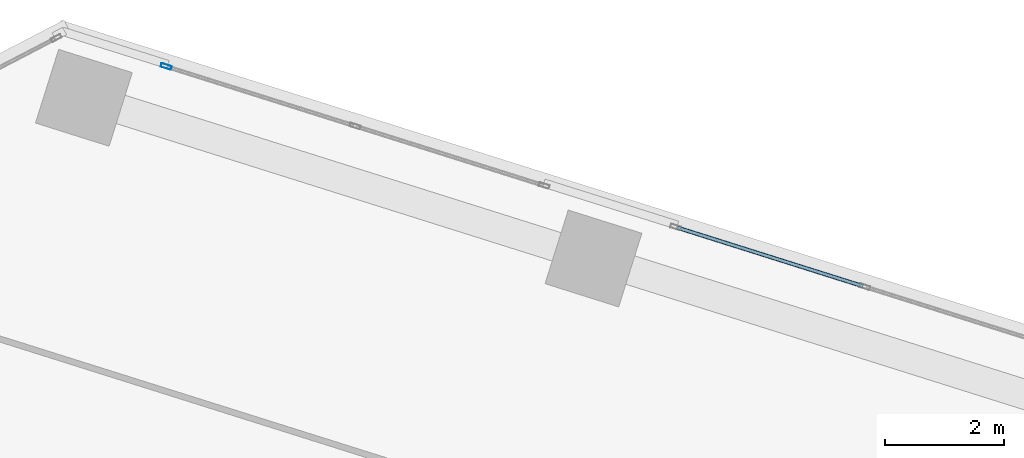
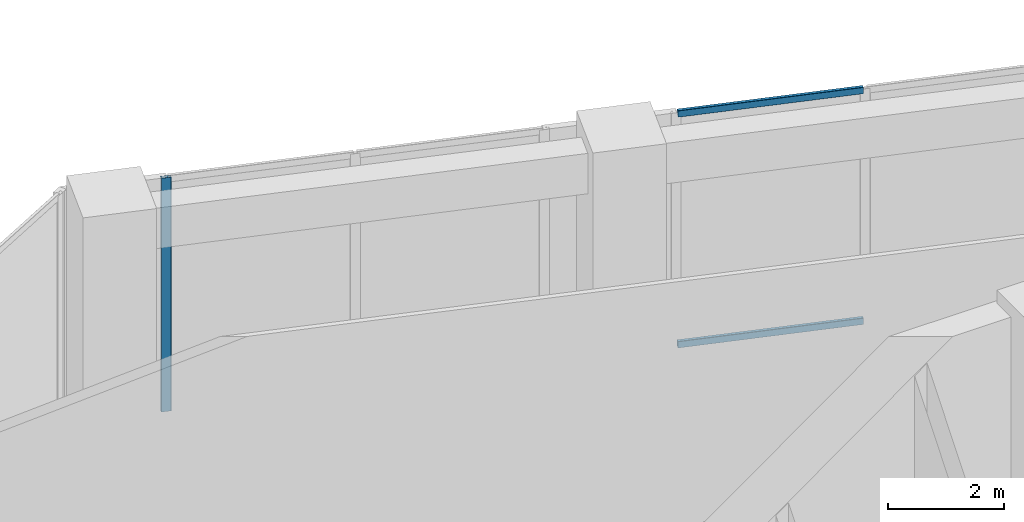
# One storey, part 14 of 28: 3 members, 2 elements without a shape of their own.
"""IFC4 building model written with IfcOpenShell, lengths in metres."""

from ifc_helpers import new_model, si_unit, direction, frame, origin, origin_2d, place, context, subcontext, project, spatial, hollow_rectangle, extrude, source, transform, mapped, material, material_profile, profile_set, type_object, element, aggregate, save


model = new_model("IFC4")

# Units and contexts
model_context = context("Model", 3, precision=1e-05, world=origin(), true_north=direction((0.0, 1.0)))
body_context = subcontext(model_context, "Body", "Model", "MODEL_VIEW")
ifc_project = project(units=[si_unit("LENGTHUNIT", "METRE"), si_unit("AREAUNIT", "SQUARE_METRE"), si_unit("VOLUMEUNIT", "CUBIC_METRE"), si_unit("PLANEANGLEUNIT", "RADIAN"), si_unit("MASSUNIT", "GRAM", prefix="KILO")], contexts=[model_context])

# Site, building, storey
site_placement = place(None, origin())
site = spatial("IfcSite", under=ifc_project, at=site_placement, CompositionType="ELEMENT")
building_placement = place(site_placement, origin())
building = spatial("IfcBuilding", under=site, at=building_placement, Name="Torre Montelarca", CompositionType="ELEMENT")
storey_placement = place(building_placement, frame((0.0, 0.0, 116.800048828125)))
storey = spatial("IfcBuildingStorey", under=building, at=storey_placement, Name="L26", CompositionType="ELEMENT", Elevation=116.800048828125)

# Curtain wall, members
ifc_material_1 = material(Name="Insulated low-E laminated glass", Category="glass")
curtain_wall_type = type_object("IfcCurtainWallType", Name="CW-SYS-Z1", PredefinedType="USERDEFINED", material=ifc_material_1)
curtain_wall_1_placement = place(storey_placement, origin())
curtain_wall_1 = element("IfcCurtainWall", 1, at=curtain_wall_1_placement, inside=storey, type_object=curtain_wall_type, Name="L26 Curtain Wall Run CW-T3-L26-E08-B3", ObjectType="UNITISED GLAZING", PredefinedType="USERDEFINED")
ifc_material_2 = material(Name="Anodised aluminium AA 6063-T6", Category="aluminium")
ifc_material_profile_1 = material_profile(ifc_material_2, hollow_rectangle(XDim=0.06494140625, YDim=0.139892578125, WallThickness=0.00390625, InnerFilletRadius=0.00390625, OuterFilletRadius=0.008056640625, at=origin_2d()), Name="ALU65X140X4", Category="aluminium")
ifc_profile_set_1 = profile_set([ifc_material_profile_1], Name="Anodised aluminium AA 6063-T6")
member_type_1 = type_object("IfcMemberType", Name="CWT-ALU140", PredefinedType="USERDEFINED", material=ifc_profile_set_1)
shared_shape_1 = source(origin(), body_context, "Body", "SweptSolid", [
    extrude(hollow_rectangle(XDim=0.06494140625, YDim=0.139892578125, WallThickness=0.00390625, InnerFilletRadius=0.00390625, OuterFilletRadius=0.008056640625, at=origin_2d()), origin(), (0.0, 0.0, 1.0), 3.2724609375),
])
member_1_placement = place(storey_placement, frame((27.255126953125, 47.03515625, 0.032470703125), z_axis=(-0.953712237681, 0.300720747035, 0.0), x_axis=(-0.300720747035, -0.953712237681, 0.0)))
member_1 = element("IfcMember", 2, at=member_1_placement, type_object=member_type_1, Name="CW transom 2.1", ObjectType="TRANSOM", PredefinedType="USERDEFINED", context=body_context, shape_type="MappedRepresentation", body=[
    mapped(shared_shape_1, transform((0.0, 0.0, 0.0), scale=1.0)),
])
member_2_placement = place(storey_placement, frame((27.255126953125, 47.03515625, 4.887451171875), z_axis=(-0.953712237681, 0.300720747035, 0.0), x_axis=(-0.300720747035, -0.953712237681, 0.0)))
member_2 = element("IfcMember", 3, at=member_2_placement, type_object=member_type_1, Name="CW transom 2.2", ObjectType="TRANSOM", PredefinedType="USERDEFINED", context=body_context, shape_type="MappedRepresentation", body=[
    mapped(shared_shape_1, transform((0.0, 0.0, 0.0), scale=1.0)),
])
aggregate(curtain_wall_1, [member_1, member_2])

# Curtain wall, member
curtain_wall_2_placement = place(storey_placement, origin())
curtain_wall_2 = element("IfcCurtainWall", 4, at=curtain_wall_2_placement, inside=storey, type_object=curtain_wall_type, Name="L26 Curtain Wall Run CW-T3-L26-E08-B4", ObjectType="UNITISED GLAZING", PredefinedType="USERDEFINED")
ifc_material_profile_2 = material_profile(ifc_material_2, hollow_rectangle(XDim=0.06494140625, YDim=0.179931640625, WallThickness=0.00390625, InnerFilletRadius=0.00390625, OuterFilletRadius=0.008056640625, at=origin_2d()), Name="ALU65X180X4", Category="aluminium")
ifc_profile_set_2 = profile_set([ifc_material_profile_2], Name="Anodised aluminium AA 6063-T6")
member_type_2 = type_object("IfcMemberType", Name="CWM-ALU180", PredefinedType="MULLION", material=ifc_profile_set_2)
shared_shape_2 = source(origin(), body_context, "Body", "SweptSolid", [
    extrude(hollow_rectangle(XDim=0.06494140625, YDim=0.179931640625, WallThickness=0.00390625, InnerFilletRadius=0.00390625, OuterFilletRadius=0.008056640625, at=origin_2d()), origin(), (0.0, 0.0, 1.0), 4.919921875),
])
member_3_placement = place(storey_placement, frame((15.51953125, 50.7353515625, 0.0), z_axis=(0.0, 0.0, 1.0), x_axis=(-0.300696063452, -0.953720020459, 0.0)))
member_3 = element("IfcMember", 5, at=member_3_placement, type_object=member_type_2, Name="CW mullion 3", PredefinedType="MULLION", context=body_context, shape_type="MappedRepresentation", body=[
    mapped(shared_shape_2, transform((0.0, 0.0, 0.0), scale=1.0)),
])
aggregate(curtain_wall_2, [member_3])

save(model, "model.ifc")
